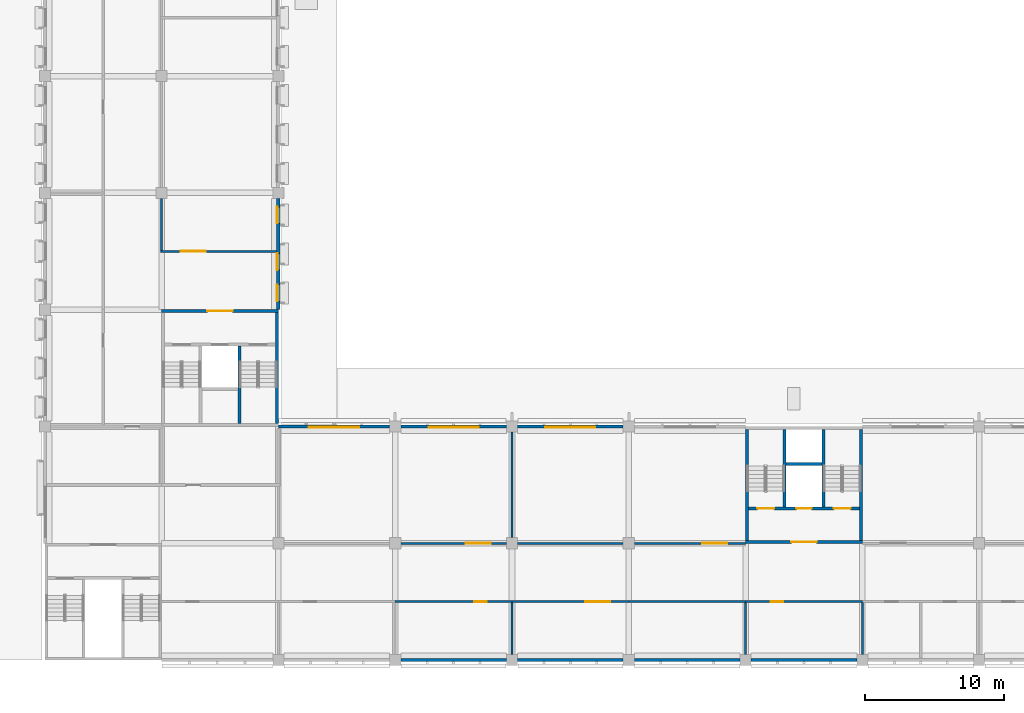
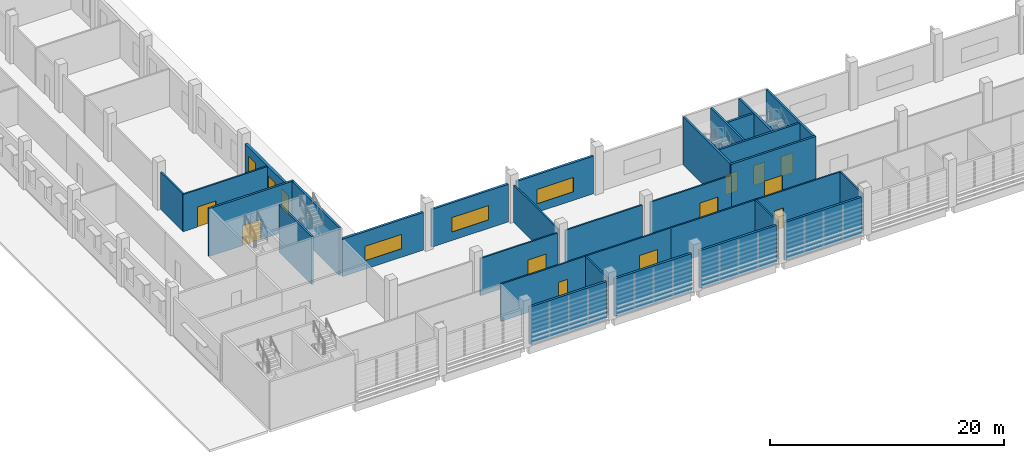
# One storey, part 29 of 101: 31 walls, 11 doors, 6 windows, 17 openings.
"""IFC4 building model written with IfcOpenShell, lengths in metres."""

import ifcopenshell
import ifcopenshell.guid

model = None  # the IFC model being written
_history = None  # IfcOwnerHistory: only IFC2X3 demands one
_inside = {}  # id of a spatial element -> (the spatial element, [elements in it])
_under = {}  # id of a project, library or spatial element -> (it, [spatial elements below it])
_declared = {}  # id of a project -> (the project, [libraries it declares])
_typed = {}  # id of a type object -> (the type object, [elements of that type])
_made_of = {}  # id of a material, layer set ... -> (it, [elements and type objects made of it])


def new_model(schema):
    """Start an empty IFC model of exactly this schema.

    Asked for "IFC4X3", IfcOpenShell would pick the latest addendum, in which some entities
    have other attributes; the version numbers below select the first issue.
    IFC2X3 requires an IfcOwnerHistory on every rooted entity: one is made here for all.
    """
    global model, _history
    if schema == "IFC4X3":
        model = ifcopenshell.file(schema_version=(4, 3, 0, 0))
    else:
        model = ifcopenshell.file(schema=schema)
    _inside.clear()
    _under.clear()
    _declared.clear()
    _typed.clear()
    _made_of.clear()
    _history = None
    if model.schema == "IFC2X3":
        org = make("IfcOrganization", Name="unknown")
        user = make(
            "IfcPersonAndOrganization",
            ThePerson=make("IfcPerson", FamilyName="unknown"),
            TheOrganization=org,
        )
        app = make(
            "IfcApplication",
            ApplicationDeveloper=org,
            Version="unknown",
            ApplicationFullName="unknown",
            ApplicationIdentifier="unknown",
        )
        _history = make(
            "IfcOwnerHistory",
            OwningUser=user,
            OwningApplication=app,
            ChangeAction="ADDED",
            CreationDate=0,
        )
    return model


def make(cls, **values):
    """One entity of the class cls with the attributes given. An attribute that is None is left unset."""
    return model.create_entity(
        cls, **{name: value for name, value in values.items() if value is not None}
    )


def rooted(cls, **values):
    """An entity with a GlobalId (a new one), such as an element, a storey or a relation."""
    return make(cls, GlobalId=ifcopenshell.guid.new(), OwnerHistory=_history, **values)


def si_unit(unit_type, name, prefix=None):
    """IfcSIUnit, for example si_unit("LENGTHUNIT", "METRE", prefix="MILLI")."""
    return make("IfcSIUnit", UnitType=unit_type, Prefix=prefix, Name=name)


def assignment(units):
    """IfcUnitAssignment: the units of a project."""
    return None if units is None else make("IfcUnitAssignment", Units=units)


def point(xyz):
    """IfcCartesianPoint."""
    return None if xyz is None else make("IfcCartesianPoint", Coordinates=xyz)


def direction(xyz):
    """IfcDirection."""
    return None if xyz is None else make("IfcDirection", DirectionRatios=xyz)


def frame(location, z_axis=None, x_axis=None):
    """IfcAxis2Placement3D, a coordinate frame: its origin and axes. An axis left out is left unset."""
    return make(
        "IfcAxis2Placement3D",
        Location=point(location),
        Axis=direction(z_axis),
        RefDirection=direction(x_axis),
    )


def frame_2d(location, x_axis=None):
    """IfcAxis2Placement2D, a coordinate frame in the plane: its origin and x axis."""
    return make(
        "IfcAxis2Placement2D", Location=point(location), RefDirection=direction(x_axis)
    )


def origin():
    """The frame at (0, 0, 0) with its axes left unset."""
    return frame((0.0, 0.0, 0.0))


def place(relative_to, where):
    """IfcLocalPlacement: puts the frame where relative to a parent placement (None: the world)."""
    return make(
        "IfcLocalPlacement", PlacementRelTo=relative_to, RelativePlacement=where
    )


def context(
    kind, dimensions, precision=None, world=None, true_north=None, identifier=None
):
    """IfcGeometricRepresentationContext, for example the 3D "Model" context."""
    return make(
        "IfcGeometricRepresentationContext",
        ContextIdentifier=identifier,
        ContextType=kind,
        CoordinateSpaceDimension=dimensions,
        Precision=precision,
        WorldCoordinateSystem=world,
        TrueNorth=true_north,
    )


def subcontext(parent, identifier, kind, view, scale=None):
    """IfcGeometricRepresentationSubContext, for example "Body" below "Model"."""
    return make(
        "IfcGeometricRepresentationSubContext",
        ContextIdentifier=identifier,
        ContextType=kind,
        ParentContext=parent,
        TargetScale=scale,
        TargetView=view,
    )


def project(units=None, contexts=None):
    """IfcProject with its units and contexts."""
    return rooted(
        "IfcProject",
        Name="project",
        RepresentationContexts=contexts,
        UnitsInContext=assignment(units),
    )


def spatial(cls, under=None, at=None, **own):
    """A site, building, storey or space (cls), placed at a placement, below another one or the project."""
    s = rooted(cls, ObjectPlacement=at, **own)
    if under is not None:
        _under.setdefault(under.id(), (under, []))[1].append(s)
    return s


def profile(cls, at=None, kind="AREA", **sizes):
    """A parametric profile (cls). Its sizes go by their IFC names, for example OverallWidth=200.0."""
    return make(cls, ProfileType=kind, Position=at, **sizes)


def rectangle(**sizes):
    """IfcRectangleProfileDef."""
    return profile("IfcRectangleProfileDef", **sizes)


def extrude(swept, where, along, depth):
    """IfcExtrudedAreaSolid: the profile swept, set in the frame where, extruded along a direction by depth."""
    return make(
        "IfcExtrudedAreaSolid",
        SweptArea=swept,
        Position=where,
        ExtrudedDirection=direction(along),
        Depth=depth,
    )


def shape(context_of_items, identifier, shape_type, items):
    """IfcShapeRepresentation: the items that make up one representation, for example the "Body"."""
    return make(
        "IfcShapeRepresentation",
        ContextOfItems=context_of_items,
        RepresentationIdentifier=identifier,
        RepresentationType=shape_type,
        Items=items,
    )


def material(Name=None, Category=None):
    """IfcMaterial."""
    return make("IfcMaterial", Name=Name, Category=Category)


def layer(
    of_material, thickness, ventilated=None, Name=None, Category=None, Priority=None
):
    """IfcMaterialLayer: one layer of a wall or slab, of a material (None: an air gap)."""
    return make(
        "IfcMaterialLayer",
        Material=of_material,
        LayerThickness=thickness,
        IsVentilated=ventilated,
        Name=Name,
        Category=Category,
        Priority=Priority,
    )


def layer_set(layers, Name=None):
    """IfcMaterialLayerSet."""
    return make("IfcMaterialLayerSet", MaterialLayers=layers, LayerSetName=Name)


def made_of(thing, what):
    """Note that an element or type object is made of a material, layer set ...; save() writes the relation."""
    if what is not None:
        _made_of.setdefault(what.id(), (what, []))[1].append(thing)
    return thing


def type_object(cls, material=None, **own):
    """A type object (cls), such as IfcWallType, which elements share."""
    return made_of(rooted(cls, **own), material)


def element(
    cls,
    number,
    at=None,
    inside=None,
    cuts=None,
    type_object=None,
    material=None,
    context=None,
    identifier="Body",
    shape_type=None,
    held_by="IfcProductDefinitionShape",
    body=None,
    shapes=None,
    **own,
):
    """One element of the class cls, such as IfcWall. Its Tag is "e" and its number.

    at: its placement. inside: the storey or other place that contains it. cuts: it is an
    opening in that element (IfcRelVoidsElement). A single representation is given by context,
    identifier, shape_type and body (its items); several are given by shapes. held_by: the class
    of the entity that holds the representations. save() writes the other relations.
    """
    e = rooted(cls, Tag="e%d" % number, ObjectPlacement=at, **own)
    if body is not None:
        shapes = [shape(context, identifier, shape_type, body)]
    if shapes is not None:
        e.Representation = make(held_by, Representations=shapes)
    if inside is not None:
        _inside.setdefault(inside.id(), (inside, []))[1].append(e)
    if cuts is not None:
        rooted(
            "IfcRelVoidsElement", RelatingBuildingElement=cuts, RelatedOpeningElement=e
        )
    if type_object is not None:
        _typed.setdefault(type_object.id(), (type_object, []))[1].append(e)
    return made_of(e, material)


def fill(opening, filler):
    """IfcRelFillsElement: the door or window that sits in an opening."""
    return rooted(
        "IfcRelFillsElement",
        RelatingOpeningElement=opening,
        RelatedBuildingElement=filler,
    )


def aggregate(whole, parts):
    """IfcRelAggregates: a whole, such as a stair, and the parts it consists of."""
    return rooted("IfcRelAggregates", RelatingObject=whole, RelatedObjects=parts)


def save(model, path):
    """Write the relations noted so far, then the file.

    IfcRelAggregates (storeys below a building ...), IfcRelContainedInSpatialStructure (elements
    in a storey), IfcRelDefinesByType, IfcRelAssociatesMaterial and IfcRelDeclares: one each for
    every whole, place, type object, material and project.
    """
    for whole, parts in _under.values():
        aggregate(whole, parts)
    for where, things in _inside.values():
        rooted(
            "IfcRelContainedInSpatialStructure",
            RelatedElements=things,
            RelatingStructure=where,
        )
    for kind, things in _typed.values():
        rooted("IfcRelDefinesByType", RelatedObjects=things, RelatingType=kind)
    for what, things in _made_of.values():
        rooted("IfcRelAssociatesMaterial", RelatedObjects=things, RelatingMaterial=what)
    for by, libraries in _declared.values():
        rooted("IfcRelDeclares", RelatingContext=by, RelatedDefinitions=libraries)
    model.write(path)


model = new_model("IFC4")

# Units and contexts
model_context = context("Model", 3, precision=1e-05, world=origin(), true_north=direction((0.0, 1.0)))
body_context = subcontext(model_context, "Body", "Model", "MODEL_VIEW")
ifc_project = project(units=[si_unit("LENGTHUNIT", "METRE"), si_unit("AREAUNIT", "SQUARE_METRE"), si_unit("VOLUMEUNIT", "CUBIC_METRE"), si_unit("PLANEANGLEUNIT", "RADIAN"), si_unit("MASSUNIT", "GRAM", prefix="KILO")], contexts=[model_context])

# Site, building, storey
site_placement = place(None, origin())
site = spatial("IfcSite", under=ifc_project, at=site_placement, CompositionType="ELEMENT")
building_placement = place(site_placement, origin())
building = spatial("IfcBuilding", under=site, at=building_placement, Name="Almond Square Museum", CompositionType="ELEMENT")
storey_placement = place(building_placement, frame((0.0, 0.0, 5.5)))
storey = spatial("IfcBuildingStorey", under=building, at=storey_placement, Name="L01", CompositionType="ELEMENT", Elevation=5.5)

# Wall
ifc_material_1 = material(Name="Plasterboard on steel stud", Category="steel")
ifc_layer_1 = layer(ifc_material_1, 0.14990234375)
ifc_layer_set_1 = layer_set([ifc_layer_1], Name="Plasterboard on steel stud")
wall_type_1 = type_object("IfcWallType", Name="Partition 150 plasterboard on steel stud", PredefinedType="PARTITIONING", material=ifc_layer_set_1)
wall_1_placement = place(storey_placement, frame((14.39990234375, 29.47509765625, 0.0), z_axis=(0.0, 0.0, 1.0), x_axis=(0.0, 1.0, 0.0)))
element("IfcWall", 1, at=wall_1_placement, inside=storey, type_object=wall_type_1, Name="L01 partition 56", PredefinedType="PARTITIONING", context=body_context, shape_type="SweptSolid", body=[
    extrude(rectangle(XDim=3.724853515625, YDim=0.14990234375, at=frame_2d((1.8623046875, 0.0))), origin(), (0.0, 0.0, 1.0), 3.89990234375),
])

# Wall, opening, door
wall_2_placement = place(storey_placement, frame((14.324951171875, 29.39990234375, 0.0), z_axis=(0.0, 0.0, 1.0), x_axis=(1.0, 0.0, 0.0)))
wall_2 = element("IfcWall", 2, at=wall_2_placement, inside=storey, type_object=wall_type_1, Name="L01 partition 59", PredefinedType="PARTITIONING", context=body_context, shape_type="SweptSolid", body=[
    extrude(rectangle(XDim=8.324951171875, YDim=0.14990234375, at=frame_2d((4.16259765625, 0.0))), origin(), (0.0, 0.0, 1.0), 3.89990234375),
])
opening_1_placement = place(wall_2_placement, frame((1.4375, 0.0, 0.0)))
opening_1 = element("IfcOpeningElement", 3, at=opening_1_placement, cuts=wall_2, Name="Opening D1118", PredefinedType="OPENING", context=body_context, shape_type="SweptSolid", body=[
    extrude(rectangle(XDim=1.800048828125, YDim=2.10009765625, at=frame_2d((0.89990234375, 1.050048828125))), frame((0.0, 0.0849609375, 0.0), z_axis=(0.0, -1.0, 0.0), x_axis=(1.0, 0.0, 0.0)), (0.0, 0.0, 1.0), 0.169921875),
])
ifc_material_2 = material(Name="Timber", Category="wood")
door_type_1 = type_object("IfcDoorType", Name="Door 1800 x 2100 timber double", OperationType="NOTDEFINED", PredefinedType="DOOR", material=ifc_material_2)
door_1_placement = place(opening_1_placement, origin())
door_1 = element("IfcDoor", 4, at=door_1_placement, inside=storey, type_object=door_type_1, Name="L01 door Library to Wing Corridor 3", OperationType="DOUBLE_DOOR_SINGLE_SWING", OverallHeight=2.10009765625, OverallWidth=1.800048828125, PredefinedType="DOOR", context=body_context, shape_type="SweptSolid", body=[
    extrude(rectangle(XDim=1.800048828125, YDim=2.10009765625, at=frame_2d((0.89990234375, 1.050048828125))), frame((0.0, 0.02490234375, 0.0), z_axis=(0.0, -1.0, 0.0), x_axis=(1.0, 0.0, 0.0)), (0.0, 0.0, 1.0), 0.050048828125),
])
fill(opening_1, door_1)

# Wall
wall_3_placement = place(storey_placement, frame((39.60009765625, 8.800048828125, 0.0), z_axis=(0.0, 0.0, 1.0), x_axis=(0.0, 1.0, 0.0)))
element("IfcWall", 5, at=wall_3_placement, inside=storey, type_object=wall_type_1, Name="L01 partition 80", PredefinedType="PARTITIONING", context=body_context, shape_type="SweptSolid", body=[
    extrude(rectangle(XDim=7.599853515625, YDim=0.14990234375, at=frame_2d((3.7998046875, 0.0))), origin(), (0.0, 0.0, 1.0), 3.89990234375),
])

# Wall, opening, door
wall_4_placement = place(storey_placement, frame((31.60009765625, 8.39990234375, 0.0), z_axis=(0.0, 0.0, 1.0), x_axis=(1.0, 0.0, 0.0)))
wall_4 = element("IfcWall", 6, at=wall_4_placement, inside=storey, type_object=wall_type_1, Name="L01 partition 82", PredefinedType="PARTITIONING", context=body_context, shape_type="SweptSolid", body=[
    extrude(rectangle(XDim=7.599853515625, YDim=0.14990234375, at=frame_2d((3.7998046875, 0.0))), origin(), (0.0, 0.0, 1.0), 3.89990234375),
])
opening_2_placement = place(wall_4_placement, frame((4.675048828125, 0.0, 0.0)))
opening_2 = element("IfcOpeningElement", 7, at=opening_2_placement, cuts=wall_4, Name="Opening D1125", PredefinedType="OPENING", context=body_context, shape_type="SweptSolid", body=[
    extrude(rectangle(XDim=1.800048828125, YDim=2.10009765625, at=frame_2d((0.89990234375, 1.050048828125))), frame((0.0, 0.0849609375, 0.0), z_axis=(0.0, -1.0, 0.0), x_axis=(1.0, 0.0, 0.0)), (0.0, 0.0, 1.0), 0.169921875),
])
door_2_placement = place(opening_2_placement, origin())
door_2 = element("IfcDoor", 8, at=door_2_placement, inside=storey, type_object=door_type_1, Name="L01 door Conservation Laboratory to Service Corridor 2", OperationType="DOUBLE_DOOR_SINGLE_SWING", OverallHeight=2.10009765625, OverallWidth=1.800048828125, PredefinedType="DOOR", context=body_context, shape_type="SweptSolid", body=[
    extrude(rectangle(XDim=1.800048828125, YDim=2.10009765625, at=frame_2d((0.89990234375, 1.050048828125))), frame((0.0, 0.02490234375, 0.0), z_axis=(0.0, -1.0, 0.0), x_axis=(1.0, 0.0, 0.0)), (0.0, 0.0, 1.0), 0.050048828125),
])
fill(opening_2, door_2)

# Wall
wall_5_placement = place(storey_placement, frame((40.0, 8.39990234375, 0.0), z_axis=(0.0, 0.0, 1.0), x_axis=(1.0, 0.0, 0.0)))
element("IfcWall", 9, at=wall_5_placement, inside=storey, type_object=wall_type_1, Name="L01 partition 83", PredefinedType="PARTITIONING", context=body_context, shape_type="SweptSolid", body=[
    extrude(rectangle(XDim=7.60009765625, YDim=0.14990234375, at=frame_2d((3.800048828125, 0.0))), origin(), (0.0, 0.0, 1.0), 3.89990234375),
])

# Wall, opening, door
wall_6_placement = place(storey_placement, frame((48.39990234375, 8.39990234375, 0.0), z_axis=(0.0, 0.0, 1.0), x_axis=(1.0, 0.0, 0.0)))
wall_6 = element("IfcWall", 10, at=wall_6_placement, inside=storey, type_object=wall_type_1, Name="L01 partition 84", PredefinedType="PARTITIONING", context=body_context, shape_type="SweptSolid", body=[
    extrude(rectangle(XDim=8.0, YDim=0.14990234375, at=frame_2d((4.0, 0.0))), origin(), (0.0, 0.0, 1.0), 3.89990234375),
])
opening_3_placement = place(wall_6_placement, frame((4.875, 0.0, 0.0)))
opening_3 = element("IfcOpeningElement", 11, at=opening_3_placement, cuts=wall_6, Name="Opening D1126", PredefinedType="OPENING", context=body_context, shape_type="SweptSolid", body=[
    extrude(rectangle(XDim=1.800048828125, YDim=2.10009765625, at=frame_2d((0.89990234375, 1.050048828125))), frame((0.0, 0.0849609375, 0.0), z_axis=(0.0, -1.0, 0.0), x_axis=(1.0, 0.0, 0.0)), (0.0, 0.0, 1.0), 0.169921875),
])
door_3_placement = place(opening_3_placement, origin())
door_3 = element("IfcDoor", 12, at=door_3_placement, inside=storey, type_object=door_type_1, Name="L01 door Paper Conservation Laboratory to Service Corridor 2", OperationType="DOUBLE_DOOR_SINGLE_SWING", OverallHeight=2.10009765625, OverallWidth=1.800048828125, PredefinedType="DOOR", context=body_context, shape_type="SweptSolid", body=[
    extrude(rectangle(XDim=1.800048828125, YDim=2.10009765625, at=frame_2d((0.89990234375, 1.050048828125))), frame((0.0, 0.02490234375, 0.0), z_axis=(0.0, -1.0, 0.0), x_axis=(1.0, 0.0, 0.0)), (0.0, 0.0, 1.0), 0.050048828125),
])
fill(opening_3, door_3)

wall_7_placement = place(storey_placement, frame((31.199951171875, 4.199951171875, 0.0), z_axis=(0.0, 0.0, 1.0), x_axis=(1.0, 0.0, 0.0)))
wall_7 = element("IfcWall", 13, at=wall_7_placement, inside=storey, type_object=wall_type_1, Name="L01 partition 103", PredefinedType="PARTITIONING", context=body_context, shape_type="SweptSolid", body=[
    extrude(rectangle(XDim=8.400146484375, YDim=0.14990234375, at=frame_2d((4.2001953125, 0.0))), origin(), (0.0, 0.0, 1.0), 3.89990234375),
])
opening_4_placement = place(wall_7_placement, frame((5.6875, 0.0, 0.0)))
opening_4 = element("IfcOpeningElement", 14, at=opening_4_placement, cuts=wall_7, Name="Opening D1129", PredefinedType="OPENING", context=body_context, shape_type="SweptSolid", body=[
    extrude(rectangle(XDim=0.89990234375, YDim=2.10009765625, at=frame_2d((0.449951171875, 1.050048828125))), frame((0.0, 0.0849609375, 0.0), z_axis=(0.0, -1.0, 0.0), x_axis=(1.0, 0.0, 0.0)), (0.0, 0.0, 1.0), 0.169921875),
])
ifc_material_3 = material(Name="Timber", Category="wood")
door_type_2 = type_object("IfcDoorType", Name="Door 900 x 2100 timber single", OperationType="NOTDEFINED", PredefinedType="DOOR", material=ifc_material_3)
door_4_placement = place(opening_4_placement, origin())
door_4 = element("IfcDoor", 15, at=door_4_placement, inside=storey, type_object=door_type_2, Name="L01 door Staff Office 2 to Service Corridor 2", OperationType="SINGLE_SWING_RIGHT", OverallHeight=2.10009765625, OverallWidth=0.89990234375, PredefinedType="DOOR", context=body_context, shape_type="SweptSolid", body=[
    extrude(rectangle(XDim=0.89990234375, YDim=2.10009765625, at=frame_2d((0.449951171875, 1.050048828125))), frame((0.0, 0.02490234375, 0.0), z_axis=(0.0, -1.0, 0.0), x_axis=(1.0, 0.0, 0.0)), (0.0, 0.0, 1.0), 0.050048828125),
])
fill(opening_4, door_4)

wall_8_placement = place(storey_placement, frame((39.60009765625, 4.199951171875, 0.0), z_axis=(0.0, 0.0, 1.0), x_axis=(1.0, 0.0, 0.0)))
wall_8 = element("IfcWall", 16, at=wall_8_placement, inside=storey, type_object=wall_type_1, Name="L01 partition 104", PredefinedType="PARTITIONING", context=body_context, shape_type="SweptSolid", body=[
    extrude(rectangle(XDim=8.39990234375, YDim=0.14990234375, at=frame_2d((4.199951171875, 0.0))), origin(), (0.0, 0.0, 1.0), 3.89990234375),
])
opening_5_placement = place(wall_8_placement, frame((5.27490234375, 0.0, 0.0)))
opening_5 = element("IfcOpeningElement", 17, at=opening_5_placement, cuts=wall_8, Name="Opening D1133", PredefinedType="OPENING", context=body_context, shape_type="SweptSolid", body=[
    extrude(rectangle(XDim=1.800048828125, YDim=2.10009765625, at=frame_2d((0.89990234375, 1.050048828125))), frame((0.0, 0.0849609375, 0.0), z_axis=(0.0, -1.0, 0.0), x_axis=(1.0, 0.0, 0.0)), (0.0, 0.0, 1.0), 0.169921875),
])
door_5_placement = place(opening_5_placement, origin())
door_5 = element("IfcDoor", 18, at=door_5_placement, inside=storey, type_object=door_type_1, Name="L01 door Open Plan Staff Office to Service Corridor 2", OperationType="DOUBLE_DOOR_SINGLE_SWING", OverallHeight=2.10009765625, OverallWidth=1.800048828125, PredefinedType="DOOR", context=body_context, shape_type="SweptSolid", body=[
    extrude(rectangle(XDim=1.800048828125, YDim=2.10009765625, at=frame_2d((0.89990234375, 1.050048828125))), frame((0.0, 0.02490234375, 0.0), z_axis=(0.0, -1.0, 0.0), x_axis=(1.0, 0.0, 0.0)), (0.0, 0.0, 1.0), 0.050048828125),
])
fill(opening_5, door_5)

# Wall
wall_9_placement = place(storey_placement, frame((48.0, 4.199951171875, 0.0), z_axis=(0.0, 0.0, 1.0), x_axis=(1.0, 0.0, 0.0)))
element("IfcWall", 19, at=wall_9_placement, inside=storey, type_object=wall_type_1, Name="L01 partition 105", PredefinedType="PARTITIONING", context=body_context, shape_type="SweptSolid", body=[
    extrude(rectangle(XDim=8.39990234375, YDim=0.14990234375, at=frame_2d((4.199951171875, 0.0))), origin(), (0.0, 0.0, 1.0), 3.89990234375),
])

# Wall, opening, door
wall_10_placement = place(storey_placement, frame((56.39990234375, 4.199951171875, 0.0), z_axis=(0.0, 0.0, 1.0), x_axis=(1.0, 0.0, 0.0)))
wall_10 = element("IfcWall", 20, at=wall_10_placement, inside=storey, type_object=wall_type_1, Name="L01 partition 106", PredefinedType="PARTITIONING", context=body_context, shape_type="SweptSolid", body=[
    extrude(rectangle(XDim=8.400146484375, YDim=0.14990234375, at=frame_2d((4.2001953125, 0.0))), origin(), (0.0, 0.0, 1.0), 3.89990234375),
])
opening_6_placement = place(wall_10_placement, frame((1.8125, 0.0, 0.0)))
opening_6 = element("IfcOpeningElement", 21, at=opening_6_placement, cuts=wall_10, Name="Opening D1130", PredefinedType="OPENING", context=body_context, shape_type="SweptSolid", body=[
    extrude(rectangle(XDim=0.89990234375, YDim=2.10009765625, at=frame_2d((0.449951171875, 1.050048828125))), frame((0.0, 0.0849609375, 0.0), z_axis=(0.0, -1.0, 0.0), x_axis=(1.0, 0.0, 0.0)), (0.0, 0.0, 1.0), 0.169921875),
])
door_6_placement = place(opening_6_placement, origin())
door_6 = element("IfcDoor", 22, at=door_6_placement, inside=storey, type_object=door_type_2, Name="L01 door Staff Meeting Room 3 to Service Corridor 2", OperationType="SINGLE_SWING_LEFT", OverallHeight=2.10009765625, OverallWidth=0.89990234375, PredefinedType="DOOR", context=body_context, shape_type="SweptSolid", body=[
    extrude(rectangle(XDim=0.89990234375, YDim=2.10009765625, at=frame_2d((0.449951171875, 1.050048828125))), frame((0.0, 0.02490234375, 0.0), z_axis=(0.0, -1.0, 0.0), x_axis=(1.0, 0.0, 0.0)), (0.0, 0.0, 1.0), 0.050048828125),
])
fill(opening_6, door_6)

# Walls
for number, where, z_axis, x_axis, name in (
    (23, (39.60009765625, 0.39990234375, 0.0), (0.0, 0.0, 1.0), (0.0, 1.0, 0.0), "L01 partition 111"),
    (24, (56.39990234375, 0.39990234375, 0.0), (0.0, 0.0, 1.0), (0.0, 1.0, 0.0), "L01 partition 112"),
    (25, (64.800048828125, 0.39990234375, 0.0), (0.0, 0.0, 1.0), (0.0, 1.0, 0.0), "L01 partition 113"),
):
    element("IfcWall", number, at=place(storey_placement, frame(where, z_axis=z_axis, x_axis=x_axis)), inside=storey, type_object=wall_type_1, Name=name, PredefinedType="PARTITIONING", context=body_context, shape_type="SweptSolid", body=[
        extrude(rectangle(XDim=3.72509765625, YDim=0.14990234375, at=frame_2d((1.862548828125, 0.0))), origin(), (0.0, 0.0, 1.0), 3.89990234375),
    ])

# Wall, openings, windows
ifc_material_4 = material(Name="Precast concrete C40/50", Category="concrete")
ifc_layer_2 = layer(ifc_material_4, 0.25)
ifc_layer_set_2 = layer_set([ifc_layer_2], Name="Precast concrete C40/50")
wall_type_2 = type_object("IfcWallType", Name="Precast concrete panel wall 250 with coral limestone piers", PredefinedType="SOLIDWALL", material=ifc_layer_set_2)
wall_11_placement = place(storey_placement, frame((22.800048828125, 25.199951171875, 0.0), z_axis=(0.0, 0.0, 1.0), x_axis=(0.0, 1.0, 0.0)))
wall_11 = element("IfcWall", 26, at=wall_11_placement, inside=storey, type_object=wall_type_2, Name="External wall W2 V4W L01 E01", PredefinedType="SOLIDWALL", context=body_context, shape_type="SweptSolid", body=[
    extrude(rectangle(XDim=8.0, YDim=0.25, at=frame_2d((4.0, 0.0))), origin(), (0.0, 0.0, 1.0), 3.93994140625),
])
opening_7_placement = place(wall_11_placement, frame((0.60009765625, 0.0, 0.89990234375)))
opening_7 = element("IfcOpeningElement", 27, at=opening_7_placement, cuts=wall_11, Name="Opening W1017", PredefinedType="OPENING", context=body_context, shape_type="SweptSolid", body=[
    extrude(rectangle(XDim=1.199951171875, YDim=2.10009765625, at=frame_2d((0.60009765625, 1.050048828125))), frame((0.0, 0.135009765625, 0.0), z_axis=(0.0, -1.0, 0.0), x_axis=(1.0, 0.0, 0.0)), (0.0, 0.0, 1.0), 0.27001953125),
])
opening_8_placement = place(wall_11_placement, frame((2.85009765625, 0.0, 0.89990234375)))
opening_8 = element("IfcOpeningElement", 28, at=opening_8_placement, cuts=wall_11, Name="Opening W1018", PredefinedType="OPENING", context=body_context, shape_type="SweptSolid", body=[
    extrude(rectangle(XDim=1.199951171875, YDim=2.10009765625, at=frame_2d((0.60009765625, 1.050048828125))), frame((0.0, 0.135009765625, 0.0), z_axis=(0.0, -1.0, 0.0), x_axis=(1.0, 0.0, 0.0)), (0.0, 0.0, 1.0), 0.27001953125),
])
opening_9_placement = place(wall_11_placement, frame((6.199951171875, 0.0, 0.89990234375)))
opening_9 = element("IfcOpeningElement", 29, at=opening_9_placement, cuts=wall_11, Name="Opening W1019", PredefinedType="OPENING", context=body_context, shape_type="SweptSolid", body=[
    extrude(rectangle(XDim=1.199951171875, YDim=2.10009765625, at=frame_2d((0.60009765625, 1.050048828125))), frame((0.0, 0.135009765625, 0.0), z_axis=(0.0, -1.0, 0.0), x_axis=(1.0, 0.0, 0.0)), (0.0, 0.0, 1.0), 0.27001953125),
])
ifc_material_5 = material(Name="Anodised aluminium louvre and laminated glass", Category="aluminium")
window_type_1 = type_object("IfcWindowType", Name="Louvred pier window", PartitioningType="SINGLE_PANEL", PredefinedType="WINDOW", material=ifc_material_5)
window_1_placement = place(opening_7_placement, origin())
window_1 = element("IfcWindow", 30, at=window_1_placement, inside=storey, type_object=window_type_1, Name="Louvred pier window W1017", OverallHeight=2.10009765625, OverallWidth=1.199951171875, PartitioningType="SINGLE_PANEL", PredefinedType="WINDOW", context=body_context, shape_type="SweptSolid", body=[
    extrude(rectangle(XDim=1.199951171875, YDim=2.10009765625, at=frame_2d((0.60009765625, 1.050048828125))), frame((0.0, 0.10498046875, 0.0), z_axis=(0.0, -1.0, 0.0), x_axis=(1.0, 0.0, 0.0)), (0.0, 0.0, 1.0), 0.06005859375),
])
fill(opening_7, window_1)
window_2_placement = place(opening_8_placement, origin())
window_2 = element("IfcWindow", 31, at=window_2_placement, inside=storey, type_object=window_type_1, Name="Louvred pier window W1018", OverallHeight=2.10009765625, OverallWidth=1.199951171875, PartitioningType="SINGLE_PANEL", PredefinedType="WINDOW", context=body_context, shape_type="SweptSolid", body=[
    extrude(rectangle(XDim=1.199951171875, YDim=2.10009765625, at=frame_2d((0.60009765625, 1.050048828125))), frame((0.0, 0.10498046875, 0.0), z_axis=(0.0, -1.0, 0.0), x_axis=(1.0, 0.0, 0.0)), (0.0, 0.0, 1.0), 0.06005859375),
])
fill(opening_8, window_2)
window_3_placement = place(opening_9_placement, origin())
window_3 = element("IfcWindow", 32, at=window_3_placement, inside=storey, type_object=window_type_1, Name="Louvred pier window W1019", OverallHeight=2.10009765625, OverallWidth=1.199951171875, PartitioningType="SINGLE_PANEL", PredefinedType="WINDOW", context=body_context, shape_type="SweptSolid", body=[
    extrude(rectangle(XDim=1.199951171875, YDim=2.10009765625, at=frame_2d((0.60009765625, 1.050048828125))), frame((0.0, 0.10498046875, 0.0), z_axis=(0.0, -1.0, 0.0), x_axis=(1.0, 0.0, 0.0)), (0.0, 0.0, 1.0), 0.06005859375),
])
fill(opening_9, window_3)

# Wall, opening, door
ifc_material_6 = material(Name="Concrete C40/50", Category="concrete")
ifc_layer_3 = layer(ifc_material_6, 0.199951171875)
ifc_layer_set_3 = layer_set([ifc_layer_3], Name="Concrete C40/50")
wall_type_3 = type_object("IfcWallType", Name="RC shear wall 200 C40/50", PredefinedType="SHEAR", material=ifc_layer_set_3)
wall_12_placement = place(storey_placement, frame((14.39990234375, 25.10009765625, 0.0), z_axis=(0.0, 0.0, 1.0), x_axis=(1.0, 0.0, 0.0)))
wall_12 = element("IfcWall", 33, at=wall_12_placement, inside=storey, type_object=wall_type_3, Name="Core W1 north wall L01", PredefinedType="SHEAR", context=body_context, shape_type="SweptSolid", body=[
    extrude(rectangle(XDim=8.400146484375, YDim=0.199951171875, at=frame_2d((4.2001953125, 0.0))), origin(), (0.0, 0.0, 1.0), 5.0),
])
opening_10_placement = place(wall_12_placement, frame((3.300048828125, 0.0, 0.0)))
opening_10 = element("IfcOpeningElement", 34, at=opening_10_placement, cuts=wall_12, Name="Opening D1186", PredefinedType="OPENING", context=body_context, shape_type="SweptSolid", body=[
    extrude(rectangle(XDim=1.800048828125, YDim=2.10009765625, at=frame_2d((0.89990234375, 1.050048828125))), frame((0.0, 0.10986328125, 0.0), z_axis=(0.0, -1.0, 0.0), x_axis=(1.0, 0.0, 0.0)), (0.0, 0.0, 1.0), 0.219970703125),
])
ifc_material_7 = material(Name="Steel", Category="steel")
door_type_3 = type_object("IfcDoorType", Name="Fire door 1800 x 2100 FD60 double", OperationType="NOTDEFINED", PredefinedType="DOOR", material=ifc_material_7)
door_7_placement = place(opening_10_placement, origin())
door_7 = element("IfcDoor", 35, at=door_7_placement, inside=storey, type_object=door_type_3, Name="L01 stair core W1 lobby door", OperationType="DOUBLE_DOOR_SINGLE_SWING", OverallHeight=2.10009765625, OverallWidth=1.800048828125, PredefinedType="DOOR", context=body_context, shape_type="SweptSolid", body=[
    extrude(rectangle(XDim=1.800048828125, YDim=2.10009765625, at=frame_2d((0.89990234375, 1.050048828125))), frame((0.0, 0.02490234375, 0.0), z_axis=(0.0, -1.0, 0.0), x_axis=(1.0, 0.0, 0.0)), (0.0, 0.0, 1.0), 0.050048828125),
])
fill(opening_10, door_7)

# Walls
wall_13_placement = place(storey_placement, frame((22.699951171875, 17.0, 0.0), z_axis=(0.0, 0.0, 1.0), x_axis=(0.0, 1.0, 0.0)))
element("IfcWall", 36, at=wall_13_placement, inside=storey, type_object=wall_type_3, Name="Core W1 east wall L01", PredefinedType="SHEAR", context=body_context, shape_type="SweptSolid", body=[
    extrude(rectangle(XDim=8.0, YDim=0.199951171875, at=frame_2d((4.0, 0.0))), origin(), (0.0, 0.0, 1.0), 5.0),
])
wall_14_placement = place(storey_placement, frame((20.0, 17.0, 0.0), z_axis=(0.0, 0.0, 1.0), x_axis=(0.0, 1.0, 0.0)))
element("IfcWall", 37, at=wall_14_placement, inside=storey, type_object=wall_type_3, Name="Core W1 partition wall L01", PredefinedType="SHEAR", context=body_context, shape_type="SweptSolid", body=[
    extrude(rectangle(XDim=5.60009765625, YDim=0.199951171875, at=frame_2d((2.800048828125, 0.0))), origin(), (0.0, 0.0, 1.0), 5.0),
])

# Wall, opening, door
wall_15_placement = place(storey_placement, frame((56.39990234375, 8.5, 0.0), z_axis=(0.0, 0.0, 1.0), x_axis=(1.0, 0.0, 0.0)))
wall_15 = element("IfcWall", 38, at=wall_15_placement, inside=storey, type_object=wall_type_3, Name="Core S2 south wall L01", PredefinedType="SHEAR", context=body_context, shape_type="SweptSolid", body=[
    extrude(rectangle(XDim=8.400146484375, YDim=0.199951171875, at=frame_2d((4.2001953125, 0.0))), origin(), (0.0, 0.0, 1.0), 5.0),
])
opening_11_placement = place(wall_15_placement, frame((3.300048828125, 0.0, 0.0)))
opening_11 = element("IfcOpeningElement", 39, at=opening_11_placement, cuts=wall_15, Name="Opening D1200", PredefinedType="OPENING", context=body_context, shape_type="SweptSolid", body=[
    extrude(rectangle(XDim=1.800048828125, YDim=2.10009765625, at=frame_2d((0.89990234375, 1.050048828125))), frame((0.0, 0.10986328125, 0.0), z_axis=(0.0, -1.0, 0.0), x_axis=(1.0, 0.0, 0.0)), (0.0, 0.0, 1.0), 0.219970703125),
])
door_8_placement = place(opening_11_placement, origin())
door_8 = element("IfcDoor", 40, at=door_8_placement, inside=storey, type_object=door_type_3, Name="L01 stair core S2 lobby door", OperationType="DOUBLE_DOOR_SINGLE_SWING", OverallHeight=2.10009765625, OverallWidth=1.800048828125, PredefinedType="DOOR", context=body_context, shape_type="SweptSolid", body=[
    extrude(rectangle(XDim=1.800048828125, YDim=2.10009765625, at=frame_2d((0.89990234375, 1.050048828125))), frame((0.0, 0.02490234375, 0.0), z_axis=(0.0, -1.0, 0.0), x_axis=(1.0, 0.0, 0.0)), (0.0, 0.0, 1.0), 0.050048828125),
])
fill(opening_11, door_8)

# Walls
for number, where, z_axis, x_axis, name in (
    (41, (56.5, 8.60009765625, 0.0), (0.0, 0.0, 1.0), (0.0, 1.0, 0.0), "Core S2 west wall L01"),
    (42, (64.699951171875, 8.60009765625, 0.0), (0.0, 0.0, 1.0), (0.0, 1.0, 0.0), "Core S2 east wall L01"),
):
    element("IfcWall", number, at=place(storey_placement, frame(where, z_axis=z_axis, x_axis=x_axis)), inside=storey, type_object=wall_type_3, Name=name, PredefinedType="SHEAR", context=body_context, shape_type="SweptSolid", body=[
        extrude(rectangle(XDim=8.0, YDim=0.199951171875, at=frame_2d((4.0, 0.0))), origin(), (0.0, 0.0, 1.0), 5.0),
    ])

# Wall, openings, doors
wall_16_placement = place(storey_placement, frame((56.60009765625, 10.89990234375, 0.0), z_axis=(0.0, 0.0, 1.0), x_axis=(1.0, 0.0, 0.0)))
wall_16 = element("IfcWall", 43, at=wall_16_placement, inside=storey, type_object=wall_type_3, Name="Core S2 lobby wall L01", PredefinedType="SHEAR", context=body_context, shape_type="SweptSolid", body=[
    extrude(rectangle(XDim=8.0, YDim=0.199951171875, at=frame_2d((4.0, 0.0))), origin(), (0.0, 0.0, 1.0), 5.0),
])
opening_12_placement = place(wall_16_placement, frame((0.64990234375, 0.0, 0.0)))
opening_12 = element("IfcOpeningElement", 44, at=opening_12_placement, cuts=wall_16, Name="Opening D1201", PredefinedType="OPENING", context=body_context, shape_type="SweptSolid", body=[
    extrude(rectangle(XDim=1.199951171875, YDim=2.10009765625, at=frame_2d((0.60009765625, 1.050048828125))), frame((0.0, 0.10986328125, 0.0), z_axis=(0.0, -1.0, 0.0), x_axis=(1.0, 0.0, 0.0)), (0.0, 0.0, 1.0), 0.219970703125),
])
opening_13_placement = place(wall_16_placement, frame((6.14990234375, 0.0, 0.0)))
opening_13 = element("IfcOpeningElement", 45, at=opening_13_placement, cuts=wall_16, Name="Opening D1202", PredefinedType="OPENING", context=body_context, shape_type="SweptSolid", body=[
    extrude(rectangle(XDim=1.199951171875, YDim=2.10009765625, at=frame_2d((0.60009765625, 1.050048828125))), frame((0.0, 0.10986328125, 0.0), z_axis=(0.0, -1.0, 0.0), x_axis=(1.0, 0.0, 0.0)), (0.0, 0.0, 1.0), 0.219970703125),
])
opening_14_placement = place(wall_16_placement, frame((3.449951171875, 0.0, 0.0)))
opening_14 = element("IfcOpeningElement", 46, at=opening_14_placement, cuts=wall_16, Name="Opening D1203", PredefinedType="OPENING", context=body_context, shape_type="SweptSolid", body=[
    extrude(rectangle(XDim=1.10009765625, YDim=2.10009765625, at=frame_2d((0.550048828125, 1.050048828125))), frame((0.0, 0.10986328125, 0.0), z_axis=(0.0, -1.0, 0.0), x_axis=(1.0, 0.0, 0.0)), (0.0, 0.0, 1.0), 0.219970703125),
])
ifc_material_8 = material(Name="Steel", Category="steel")
door_type_4 = type_object("IfcDoorType", Name="Fire door 1200 x 2100 FD120 stair", OperationType="NOTDEFINED", PredefinedType="DOOR", material=ifc_material_8)
door_9_placement = place(opening_12_placement, origin())
door_9 = element("IfcDoor", 47, at=door_9_placement, inside=storey, type_object=door_type_4, Name="L01 stair S2-1 door", OperationType="SINGLE_SWING_LEFT", OverallHeight=2.10009765625, OverallWidth=1.199951171875, PredefinedType="DOOR", context=body_context, shape_type="SweptSolid", body=[
    extrude(rectangle(XDim=1.199951171875, YDim=2.10009765625, at=frame_2d((0.60009765625, 1.050048828125))), frame((0.0, 0.02490234375, 0.0), z_axis=(0.0, -1.0, 0.0), x_axis=(1.0, 0.0, 0.0)), (0.0, 0.0, 1.0), 0.050048828125),
])
fill(opening_12, door_9)
door_10_placement = place(opening_13_placement, origin())
door_10 = element("IfcDoor", 48, at=door_10_placement, inside=storey, type_object=door_type_4, Name="L01 stair S2-2 door", OperationType="SINGLE_SWING_RIGHT", OverallHeight=2.10009765625, OverallWidth=1.199951171875, PredefinedType="DOOR", context=body_context, shape_type="SweptSolid", body=[
    extrude(rectangle(XDim=1.199951171875, YDim=2.10009765625, at=frame_2d((0.60009765625, 1.050048828125))), frame((0.0, 0.02490234375, 0.0), z_axis=(0.0, -1.0, 0.0), x_axis=(1.0, 0.0, 0.0)), (0.0, 0.0, 1.0), 0.050048828125),
])
fill(opening_13, door_10)
ifc_material_9 = material(Name="Stainless steel", Category="steel")
door_type_5 = type_object("IfcDoorType", Name="Lift landing door 1100 x 2100", OperationType="NOTDEFINED", PredefinedType="DOOR", material=ifc_material_9)
door_11_placement = place(opening_14_placement, origin())
door_11 = element("IfcDoor", 49, at=door_11_placement, inside=storey, type_object=door_type_5, Name="L01 lift PL-S2 landing door", OperationType="DOUBLE_DOOR_SLIDING", OverallHeight=2.10009765625, OverallWidth=1.10009765625, PredefinedType="DOOR", context=body_context, shape_type="SweptSolid", body=[
    extrude(rectangle(XDim=1.10009765625, YDim=2.10009765625, at=frame_2d((0.550048828125, 1.050048828125))), frame((0.0, 0.02490234375, 0.0), z_axis=(0.0, -1.0, 0.0), x_axis=(1.0, 0.0, 0.0)), (0.0, 0.0, 1.0), 0.050048828125),
])
fill(opening_14, door_11)

# Walls
for number, where, z_axis, x_axis, name in (
    (50, (59.199951171875, 11.0, 0.0), (0.0, 0.0, 1.0), (0.0, 1.0, 0.0), "Core S2 partition wall L01"),
    (51, (62.0, 11.0, 0.0), (0.0, 0.0, 1.0), (0.0, 1.0, 0.0), "Core S2 partition wall L01"),
):
    element("IfcWall", number, at=place(storey_placement, frame(where, z_axis=z_axis, x_axis=x_axis)), inside=storey, type_object=wall_type_3, Name=name, PredefinedType="SHEAR", context=body_context, shape_type="SweptSolid", body=[
        extrude(rectangle(XDim=5.60009765625, YDim=0.199951171875, at=frame_2d((2.800048828125, 0.0))), origin(), (0.0, 0.0, 1.0), 5.0),
    ])
wall_17_placement = place(storey_placement, frame((59.300048828125, 14.10009765625, 0.0), z_axis=(0.0, 0.0, 1.0), x_axis=(1.0, 0.0, 0.0)))
element("IfcWall", 52, at=wall_17_placement, inside=storey, type_object=wall_type_3, Name="Core S2 partition wall L01", PredefinedType="SHEAR", context=body_context, shape_type="SweptSolid", body=[
    extrude(rectangle(XDim=2.599853515625, YDim=0.199951171875, at=frame_2d((1.2998046875, 0.0))), origin(), (0.0, 0.0, 1.0), 5.0),
])
ifc_material_10 = material(Name="Concrete C30/37", Category="concrete")
ifc_layer_4 = layer(ifc_material_10, 0.219970703125)
ifc_layer_set_4 = layer_set([ifc_layer_4], Name="Concrete C30/37")
wall_type_4 = type_object("IfcWallType", Name="Stucco panel wall 220 with insulation", PredefinedType="SOLIDWALL", material=ifc_layer_set_4)
wall_18_placement = place(storey_placement, frame((31.60009765625, 0.0, 0.0), z_axis=(0.0, 0.0, 1.0), x_axis=(1.0, 0.0, 0.0)))
element("IfcWall", 53, at=wall_18_placement, inside=storey, type_object=wall_type_4, Name="External wall W4 V5S L01 S03", PredefinedType="SOLIDWALL", context=body_context, shape_type="SweptSolid", body=[
    extrude(rectangle(XDim=7.599853515625, YDim=0.219970703125, at=frame_2d((3.7998046875, 0.0))), origin(), (0.0, 0.0, 1.0), 3.93994140625),
])
for number, where, z_axis, x_axis, name in (
    (54, (40.0, 0.0, 0.0), (0.0, 0.0, 1.0), (1.0, 0.0, 0.0), "External wall W4 V5S L01 S04"),
    (55, (48.39990234375, 0.0, 0.0), (0.0, 0.0, 1.0), (1.0, 0.0, 0.0), "External wall W4 V5S L01 S05"),
):
    element("IfcWall", number, at=place(storey_placement, frame(where, z_axis=z_axis, x_axis=x_axis)), inside=storey, type_object=wall_type_4, Name=name, PredefinedType="SOLIDWALL", context=body_context, shape_type="SweptSolid", body=[
        extrude(rectangle(XDim=7.60009765625, YDim=0.219970703125, at=frame_2d((3.800048828125, 0.0))), origin(), (0.0, 0.0, 1.0), 3.93994140625),
    ])
wall_19_placement = place(storey_placement, frame((56.800048828125, 0.0, 0.0), z_axis=(0.0, 0.0, 1.0), x_axis=(1.0, 0.0, 0.0)))
element("IfcWall", 56, at=wall_19_placement, inside=storey, type_object=wall_type_4, Name="External wall W4 V5S L01 S06", PredefinedType="SOLIDWALL", context=body_context, shape_type="SweptSolid", body=[
    extrude(rectangle(XDim=7.599853515625, YDim=0.219970703125, at=frame_2d((3.7998046875, 0.0))), origin(), (0.0, 0.0, 1.0), 3.93994140625),
])

# Wall, opening, window
wall_20_placement = place(storey_placement, frame((40.0, 16.800048828125, 0.0), z_axis=(0.0, 0.0, 1.0), x_axis=(1.0, 0.0, 0.0)))
wall_20 = element("IfcWall", 57, at=wall_20_placement, inside=storey, type_object=wall_type_4, Name="External wall W4 V5S L01 N09", PredefinedType="SOLIDWALL", context=body_context, shape_type="SweptSolid", body=[
    extrude(rectangle(XDim=7.60009765625, YDim=0.219970703125, at=frame_2d((3.800048828125, 0.0))), origin(), (0.0, 0.0, 1.0), 3.93994140625),
])
opening_15_placement = place(wall_20_placement, frame((2.0, 0.0, 0.89990234375)))
opening_15 = element("IfcOpeningElement", 58, at=opening_15_placement, cuts=wall_20, Name="Opening W1014", PredefinedType="OPENING", context=body_context, shape_type="SweptSolid", body=[
    extrude(rectangle(XDim=3.60009765625, YDim=1.5, at=frame_2d((1.800048828125, 0.75))), frame((0.0, 0.119873046875, 0.0), z_axis=(0.0, -1.0, 0.0), x_axis=(1.0, 0.0, 0.0)), (0.0, 0.0, 1.0), 0.239990234375),
])
ifc_material_11 = material(Name="Aluminium frame and laminated glass", Category="aluminium")
window_type_2 = type_object("IfcWindowType", Name="Office ribbon window", PartitioningType="SINGLE_PANEL", PredefinedType="WINDOW", material=ifc_material_11)
window_4_placement = place(opening_15_placement, origin())
window_4 = element("IfcWindow", 59, at=window_4_placement, inside=storey, type_object=window_type_2, Name="Office ribbon window W1014", OverallHeight=1.5, OverallWidth=3.60009765625, PartitioningType="DOUBLE_PANEL_VERTICAL", PredefinedType="WINDOW", context=body_context, shape_type="SweptSolid", body=[
    extrude(rectangle(XDim=3.60009765625, YDim=1.5, at=frame_2d((1.800048828125, 0.75))), frame((0.0, -0.030029296875, 0.0), z_axis=(0.0, -1.0, 0.0), x_axis=(1.0, 0.0, 0.0)), (0.0, 0.0, 1.0), 0.06005859375),
])
fill(opening_15, window_4)

wall_21_placement = place(storey_placement, frame((31.60009765625, 16.800048828125, 0.0), z_axis=(0.0, 0.0, 1.0), x_axis=(1.0, 0.0, 0.0)))
wall_21 = element("IfcWall", 60, at=wall_21_placement, inside=storey, type_object=wall_type_4, Name="External wall W4 V5S L01 N10", PredefinedType="SOLIDWALL", context=body_context, shape_type="SweptSolid", body=[
    extrude(rectangle(XDim=7.599853515625, YDim=0.219970703125, at=frame_2d((3.7998046875, 0.0))), origin(), (0.0, 0.0, 1.0), 3.93994140625),
])
opening_16_placement = place(wall_21_placement, frame((2.0, 0.0, 0.89990234375)))
opening_16 = element("IfcOpeningElement", 61, at=opening_16_placement, cuts=wall_21, Name="Opening W1015", PredefinedType="OPENING", context=body_context, shape_type="SweptSolid", body=[
    extrude(rectangle(XDim=3.60009765625, YDim=1.5, at=frame_2d((1.800048828125, 0.75))), frame((0.0, 0.119873046875, 0.0), z_axis=(0.0, -1.0, 0.0), x_axis=(1.0, 0.0, 0.0)), (0.0, 0.0, 1.0), 0.239990234375),
])
window_5_placement = place(opening_16_placement, origin())
window_5 = element("IfcWindow", 62, at=window_5_placement, inside=storey, type_object=window_type_2, Name="Office ribbon window W1015", OverallHeight=1.5, OverallWidth=3.60009765625, PartitioningType="DOUBLE_PANEL_VERTICAL", PredefinedType="WINDOW", context=body_context, shape_type="SweptSolid", body=[
    extrude(rectangle(XDim=3.60009765625, YDim=1.5, at=frame_2d((1.800048828125, 0.75))), frame((0.0, -0.030029296875, 0.0), z_axis=(0.0, -1.0, 0.0), x_axis=(1.0, 0.0, 0.0)), (0.0, 0.0, 1.0), 0.06005859375),
])
fill(opening_16, window_5)

wall_22_placement = place(storey_placement, frame((22.800048828125, 16.800048828125, 0.0), z_axis=(0.0, 0.0, 1.0), x_axis=(1.0, 0.0, 0.0)))
wall_22 = element("IfcWall", 63, at=wall_22_placement, inside=storey, type_object=wall_type_4, Name="External wall W4 V5S L01 N11", PredefinedType="SOLIDWALL", context=body_context, shape_type="SweptSolid", body=[
    extrude(rectangle(XDim=8.0, YDim=0.219970703125, at=frame_2d((4.0, 0.0))), origin(), (0.0, 0.0, 1.0), 3.93994140625),
])
opening_17_placement = place(wall_22_placement, frame((2.199951171875, 0.0, 0.89990234375)))
opening_17 = element("IfcOpeningElement", 64, at=opening_17_placement, cuts=wall_22, Name="Opening W1016", PredefinedType="OPENING", context=body_context, shape_type="SweptSolid", body=[
    extrude(rectangle(XDim=3.60009765625, YDim=1.5, at=frame_2d((1.800048828125, 0.75))), frame((0.0, 0.119873046875, 0.0), z_axis=(0.0, -1.0, 0.0), x_axis=(1.0, 0.0, 0.0)), (0.0, 0.0, 1.0), 0.239990234375),
])
window_6_placement = place(opening_17_placement, origin())
window_6 = element("IfcWindow", 65, at=window_6_placement, inside=storey, type_object=window_type_2, Name="Office ribbon window W1016", OverallHeight=1.5, OverallWidth=3.60009765625, PartitioningType="DOUBLE_PANEL_VERTICAL", PredefinedType="WINDOW", context=body_context, shape_type="SweptSolid", body=[
    extrude(rectangle(XDim=3.60009765625, YDim=1.5, at=frame_2d((1.800048828125, 0.75))), frame((0.0, -0.030029296875, 0.0), z_axis=(0.0, -1.0, 0.0), x_axis=(1.0, 0.0, 0.0)), (0.0, 0.0, 1.0), 0.06005859375),
])
fill(opening_17, window_6)

save(model, "model.ifc")
